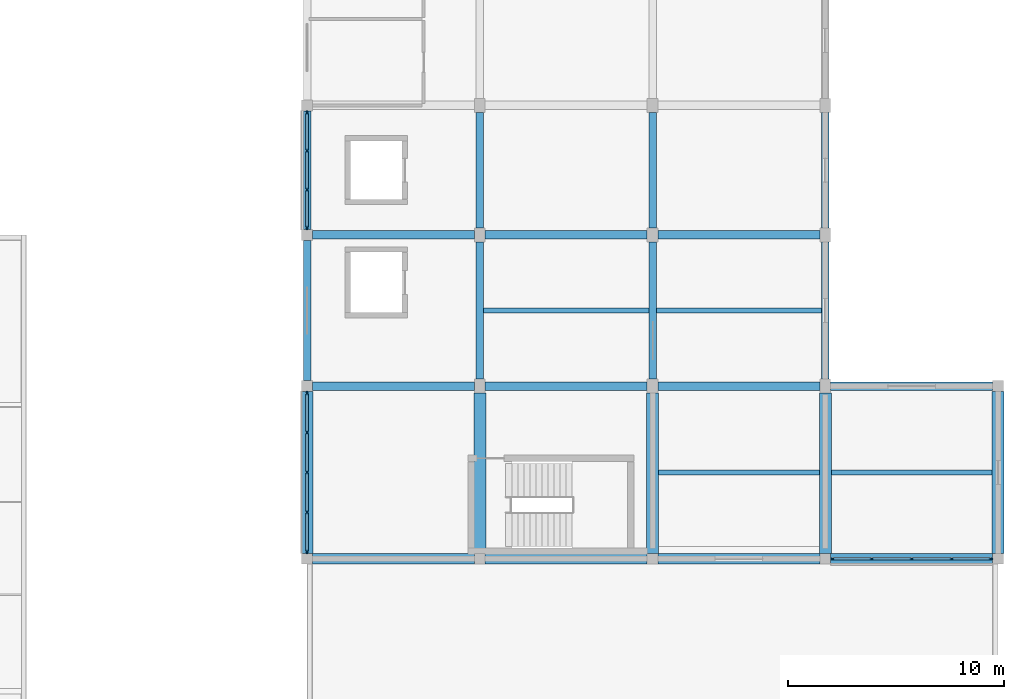
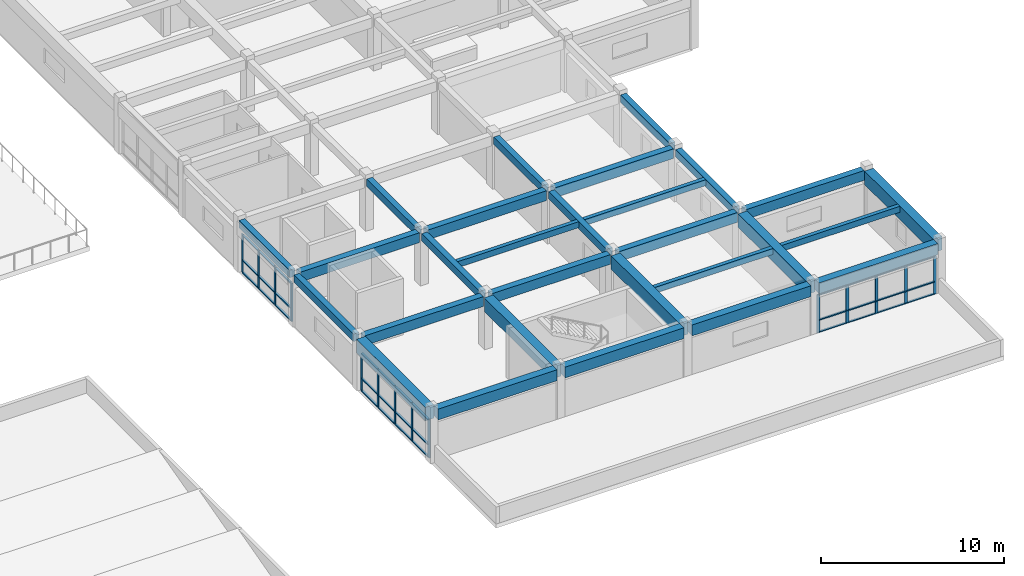
# One storey, part 4 of 22: 47 members, 28 beams, 3 elements without a shape of their own.
"""IFC4 building model written with IfcOpenShell, lengths in metres."""

from ifc_helpers import new_model, si_unit, direction, frame, origin, origin_2d, place, context, subcontext, project, spatial, rectangle, extrude, material, layer, layer_set, material_profile, profile_set, type_object, element, aggregate, save


model = new_model("IFC4")

# Units and contexts
model_context = context("Model", 3, precision=1e-05, world=origin(), true_north=direction((0.0, 1.0)))
body_context = subcontext(model_context, "Body", "Model", "MODEL_VIEW")
ifc_project = project(units=[si_unit("LENGTHUNIT", "METRE"), si_unit("AREAUNIT", "SQUARE_METRE"), si_unit("VOLUMEUNIT", "CUBIC_METRE"), si_unit("PLANEANGLEUNIT", "RADIAN"), si_unit("MASSUNIT", "GRAM", prefix="KILO")], contexts=[model_context])

# Site, building, storey
site_placement = place(None, origin())
site = spatial("IfcSite", under=ifc_project, at=site_placement, CompositionType="ELEMENT")
building_placement = place(site_placement, origin())
building = spatial("IfcBuilding", under=site, at=building_placement, Name="Naurynzar Civic Courthouse", CompositionType="ELEMENT")
storey_placement = place(building_placement, frame((0.0, 0.0, 25.800048828125)))
storey = spatial("IfcBuildingStorey", under=building, at=storey_placement, Name="L07", CompositionType="ELEMENT", Elevation=25.800048828125)

# Beams
ifc_material_1 = material(Name="Concrete C40/50", Category="concrete")
ifc_material_profile_1 = material_profile(ifc_material_1, rectangle(XDim=0.25, YDim=0.39990234375, at=origin_2d()), Name="RCB 250x400")
ifc_profile_set_1 = profile_set([ifc_material_profile_1], Name="Concrete C40/50")
beam_type_1 = type_object("IfcBeamType", Name="BM-JST-250x400", PredefinedType="JOIST", material=ifc_profile_set_1)
for number, where, z_axis, x_axis, name in (
    (1, (146.27490234375, 21.0, 3.27001953125), (1.0, 0.0, 0.0), (0.0, 1.0, 0.0), "V5 secondary rib 2883 L07"),
    (2, (154.27490234375, 21.0, 3.27001953125), (1.0, 0.0, 0.0), (0.0, 1.0, 0.0), "V5 secondary rib 2884 L07"),
):
    element("IfcBeam", number, at=place(storey_placement, frame(where, z_axis=z_axis, x_axis=x_axis)), inside=storey, type_object=beam_type_1, Name=name, PredefinedType="JOIST", context=body_context, shape_type="SweptSolid", body=[
        extrude(rectangle(XDim=0.25, YDim=0.39990234375, at=origin_2d()), origin(), (0.0, 0.0, 1.0), 7.4501953125),
    ])
for number, where, z_axis, x_axis, name in (
    (3, (138.175048828125, 28.5, 3.27001953125), (1.0, 0.0, 0.0), (0.0, 1.0, 0.0), "V5 secondary rib 2885 L07"),
    (4, (146.175048828125, 28.5, 3.27001953125), (1.0, 0.0, 0.0), (0.0, 1.0, 0.0), "V5 secondary rib 2886 L07"),
):
    element("IfcBeam", number, at=place(storey_placement, frame(where, z_axis=z_axis, x_axis=x_axis)), inside=storey, type_object=beam_type_1, Name=name, PredefinedType="JOIST", context=body_context, shape_type="SweptSolid", body=[
        extrude(rectangle(XDim=0.25, YDim=0.39990234375, at=origin_2d()), origin(), (0.0, 0.0, 1.0), 7.64990234375),
    ])
ifc_material_2 = material(Name="Concrete C40/50", Category="concrete")
ifc_material_profile_2 = material_profile(ifc_material_2, rectangle(XDim=0.35009765625, YDim=0.5, at=origin_2d()), Name="RCB 350x500")
ifc_profile_set_2 = profile_set([ifc_material_profile_2], Name="Concrete C40/50")
beam_type_2 = type_object("IfcBeamType", Name="BM-RC-350x500", PredefinedType="BEAM", material=ifc_profile_set_2)
beam_1_placement = place(storey_placement, frame((130.0, 25.25, 3.219970703125), z_axis=(0.0, 1.0, 0.0), x_axis=(-1.0, 0.0, 0.0)))
element("IfcBeam", 5, at=beam_1_placement, inside=storey, type_object=beam_type_2, Name="V5 girder Y-2852 L07", PredefinedType="BEAM", context=body_context, shape_type="SweptSolid", body=[
    extrude(rectangle(XDim=0.35009765625, YDim=0.5, at=origin_2d()), origin(), (0.0, 0.0, 1.0), 6.5),
])
beam_2_placement = place(storey_placement, frame((130.0, 32.25, 3.219970703125), z_axis=(0.0, 1.0, 0.0), x_axis=(-1.0, 0.0, 0.0)))
element("IfcBeam", 6, at=beam_2_placement, inside=storey, type_object=beam_type_2, Name="V5 girder Y-2853 L07", PredefinedType="BEAM", context=body_context, shape_type="SweptSolid", body=[
    extrude(rectangle(XDim=0.35009765625, YDim=0.5, at=origin_2d()), origin(), (0.0, 0.0, 1.0), 5.5),
])
beam_3_placement = place(storey_placement, frame((138.0, 25.324951171875, 3.219970703125), z_axis=(0.0, 1.0, 0.0), x_axis=(-1.0, 0.0, 0.0)))
element("IfcBeam", 7, at=beam_3_placement, inside=storey, type_object=beam_type_2, Name="V5 girder Y-2859 L07", PredefinedType="BEAM", context=body_context, shape_type="SweptSolid", body=[
    extrude(rectangle(XDim=0.35009765625, YDim=0.5, at=origin_2d()), origin(), (0.0, 0.0, 1.0), 6.35009765625),
])
beam_4_placement = place(storey_placement, frame((138.0, 32.324951171875, 3.219970703125), z_axis=(0.0, 1.0, 0.0), x_axis=(-1.0, 0.0, 0.0)))
element("IfcBeam", 8, at=beam_4_placement, inside=storey, type_object=beam_type_2, Name="V5 girder Y-2860 L07", PredefinedType="BEAM", context=body_context, shape_type="SweptSolid", body=[
    extrude(rectangle(XDim=0.35009765625, YDim=0.5, at=origin_2d()), origin(), (0.0, 0.0, 1.0), 5.35009765625),
])
beam_5_placement = place(storey_placement, frame((146.0, 25.324951171875, 3.219970703125), z_axis=(0.0, 1.0, 0.0), x_axis=(-1.0, 0.0, 0.0)))
element("IfcBeam", 9, at=beam_5_placement, inside=storey, type_object=beam_type_2, Name="V5 girder Y-2866 L07", PredefinedType="BEAM", context=body_context, shape_type="SweptSolid", body=[
    extrude(rectangle(XDim=0.35009765625, YDim=0.5, at=origin_2d()), origin(), (0.0, 0.0, 1.0), 6.35009765625),
])
beam_6_placement = place(storey_placement, frame((146.0, 32.324951171875, 3.219970703125), z_axis=(0.0, 1.0, 0.0), x_axis=(-1.0, 0.0, 0.0)))
element("IfcBeam", 10, at=beam_6_placement, inside=storey, type_object=beam_type_2, Name="V5 girder Y-2867 L07", PredefinedType="BEAM", context=body_context, shape_type="SweptSolid", body=[
    extrude(rectangle(XDim=0.35009765625, YDim=0.5, at=origin_2d()), origin(), (0.0, 0.0, 1.0), 5.35009765625),
])
beam_7_placement = place(storey_placement, frame((154.0, 25.324951171875, 3.219970703125), z_axis=(0.0, 1.0, 0.0), x_axis=(-1.0, 0.0, 0.0)))
element("IfcBeam", 11, at=beam_7_placement, inside=storey, type_object=beam_type_2, Name="V5 girder Y-2873 L07", PredefinedType="BEAM", context=body_context, shape_type="SweptSolid", body=[
    extrude(rectangle(XDim=0.35009765625, YDim=0.5, at=origin_2d()), origin(), (0.0, 0.0, 1.0), 6.35009765625),
])
beam_8_placement = place(storey_placement, frame((154.0, 32.324951171875, 3.219970703125), z_axis=(0.0, 1.0, 0.0), x_axis=(-1.0, 0.0, 0.0)))
element("IfcBeam", 12, at=beam_8_placement, inside=storey, type_object=beam_type_2, Name="V5 girder Y-2874 L07", PredefinedType="BEAM", context=body_context, shape_type="SweptSolid", body=[
    extrude(rectangle(XDim=0.35009765625, YDim=0.5, at=origin_2d()), origin(), (0.0, 0.0, 1.0), 5.35009765625),
])
ifc_material_3 = material(Name="Concrete C40/50", Category="concrete")
ifc_material_profile_3 = material_profile(ifc_material_3, rectangle(XDim=0.39990234375, YDim=0.64990234375, at=origin_2d()), Name="RCB 400x650")
ifc_profile_set_3 = profile_set([ifc_material_profile_3], Name="Concrete C40/50")
beam_type_3 = type_object("IfcBeamType", Name="BM-RC-400x650", PredefinedType="BEAM", material=ifc_profile_set_3)
for number, where, z_axis, x_axis, name in (
    (13, (130.25, 25.0, 3.14501953125), (1.0, 0.0, 0.0), (0.0, 1.0, 0.0), "V5 beam X-2825 L07"),
    (14, (138.25, 25.0, 3.14501953125), (1.0, 0.0, 0.0), (0.0, 1.0, 0.0), "V5 beam X-2826 L07"),
    (15, (146.25, 25.0, 3.14501953125), (1.0, 0.0, 0.0), (0.0, 1.0, 0.0), "V5 beam X-2827 L07"),
    (16, (154.25, 25.0, 3.14501953125), (1.0, 0.0, 0.0), (0.0, 1.0, 0.0), "V5 beam X-2828 L07"),
    (17, (130.25, 32.0, 3.14501953125), (1.0, 0.0, 0.0), (0.0, 1.0, 0.0), "V5 beam X-2829 L07"),
    (18, (138.25, 32.0, 3.14501953125), (1.0, 0.0, 0.0), (0.0, 1.0, 0.0), "V5 beam X-2830 L07"),
    (19, (146.25, 32.0, 3.14501953125), (1.0, 0.0, 0.0), (0.0, 1.0, 0.0), "V5 beam X-2831 L07"),
):
    element("IfcBeam", number, at=place(storey_placement, frame(where, z_axis=z_axis, x_axis=x_axis)), inside=storey, type_object=beam_type_3, Name=name, PredefinedType="BEAM", context=body_context, shape_type="SweptSolid", body=[
        extrude(rectangle(XDim=0.39990234375, YDim=0.64990234375, at=origin_2d()), origin(), (0.0, 0.0, 1.0), 7.5),
    ])
ifc_material_4 = material(Name="Concrete C40/50", Category="concrete")
ifc_material_profile_4 = material_profile(ifc_material_4, rectangle(XDim=0.47509765625, YDim=0.72509765625, at=origin_2d()), Name="RCB 475x725")
ifc_profile_set_4 = profile_set([ifc_material_profile_4], Name="Concrete C40/50")
beam_type_4 = type_object("IfcBeamType", Name="BM-RC-475x725", PredefinedType="SPANDREL", material=ifc_profile_set_4)
for number, where, z_axis, x_axis, name in (
    (20, (130.25, 17.0, 3.107421875), (1.0, 0.0, 0.0), (0.0, 1.0, 0.0), "V5 beam X-2821 L07"),
    (21, (138.25, 17.0, 3.107421875), (1.0, 0.0, 0.0), (0.0, 1.0, 0.0), "V5 beam X-2822 L07"),
    (22, (146.25, 17.0, 3.107421875), (1.0, 0.0, 0.0), (0.0, 1.0, 0.0), "V5 beam X-2823 L07"),
    (23, (154.25, 17.0, 3.107421875), (1.0, 0.0, 0.0), (0.0, 1.0, 0.0), "V5 beam X-2824 L07"),
):
    element("IfcBeam", number, at=place(storey_placement, frame(where, z_axis=z_axis, x_axis=x_axis)), inside=storey, type_object=beam_type_4, Name=name, PredefinedType="SPANDREL", context=body_context, shape_type="SweptSolid", body=[
        extrude(rectangle(XDim=0.47509765625, YDim=0.72509765625, at=origin_2d()), origin(), (0.0, 0.0, 1.0), 7.5),
    ])
ifc_material_5 = material(Name="Concrete C40/50", Category="concrete")
ifc_material_profile_5 = material_profile(ifc_material_5, rectangle(XDim=0.550048828125, YDim=0.89990234375, at=origin_2d()), Name="RCB 550x900")
ifc_profile_set_5 = profile_set([ifc_material_profile_5], Name="Concrete C40/50")
beam_type_5 = type_object("IfcBeamType", Name="BM-RC-550x900", PredefinedType="T_BEAM", material=ifc_profile_set_5)
beam_9_placement = place(storey_placement, frame((130.0, 17.25, 3.02001953125), z_axis=(0.0, 1.0, 0.0), x_axis=(-1.0, 0.0, 0.0)))
element("IfcBeam", 24, at=beam_9_placement, inside=storey, type_object=beam_type_5, Name="V5 girder Y-2851 L07", PredefinedType="T_BEAM", context=body_context, shape_type="SweptSolid", body=[
    extrude(rectangle(XDim=0.550048828125, YDim=0.89990234375, at=origin_2d()), origin(), (0.0, 0.0, 1.0), 7.5),
])
for number, where, z_axis, x_axis, name in (
    (25, (138.0, 17.25, 3.02001953125), (0.0, 1.0, 0.0), (-1.0, 0.0, 0.0), "V5 girder Y-2858 L07"),
    (26, (146.0, 17.25, 3.02001953125), (0.0, 1.0, 0.0), (-1.0, 0.0, 0.0), "V5 girder Y-2865 L07"),
    (27, (154.0, 17.25, 3.02001953125), (0.0, 1.0, 0.0), (-1.0, 0.0, 0.0), "V5 girder Y-2872 L07"),
):
    element("IfcBeam", number, at=place(storey_placement, frame(where, z_axis=z_axis, x_axis=x_axis)), inside=storey, type_object=beam_type_5, Name=name, PredefinedType="T_BEAM", context=body_context, shape_type="SweptSolid", body=[
        extrude(rectangle(XDim=0.550048828125, YDim=0.89990234375, at=origin_2d()), origin(), (0.0, 0.0, 1.0), 7.425048828125),
    ])
beam_10_placement = place(storey_placement, frame((162.0, 17.25, 3.02001953125), z_axis=(0.0, 1.0, 0.0), x_axis=(-1.0, 0.0, 0.0)))
element("IfcBeam", 28, at=beam_10_placement, inside=storey, type_object=beam_type_5, Name="V5 girder Y-2879 L07", PredefinedType="T_BEAM", context=body_context, shape_type="SweptSolid", body=[
    extrude(rectangle(XDim=0.550048828125, YDim=0.89990234375, at=origin_2d()), origin(), (0.0, 0.0, 1.0), 7.5),
])

# Curtain wall, members
ifc_material_6 = material(Name="Aluminium 6063-T6", Category="aluminium")
ifc_layer = layer(ifc_material_6, 0.159912109375)
ifc_layer_set = layer_set([ifc_layer], Name="CW-UNIT-1800")
curtain_wall_type = type_object("IfcCurtainWallType", Name="CW-UNIT-1800", PredefinedType="NOTDEFINED", material=ifc_layer_set)
curtain_wall_1_placement = place(storey_placement, origin())
curtain_wall_1 = element("IfcCurtainWall", 29, at=curtain_wall_1_placement, inside=storey, type_object=curtain_wall_type, Name="V5 unitised curtain wall 112 L07", PredefinedType="NOTDEFINED")
ifc_material_7 = material(Name="Aluminium 6063-T6", Category="aluminium")
ifc_material_profile_6 = material_profile(ifc_material_7, rectangle(XDim=0.070068359375, YDim=0.179931640625, at=origin_2d()), Name="ALU MULLION 70x180")
ifc_profile_set_6 = profile_set([ifc_material_profile_6], Name="Aluminium 6063-T6")
member_type_1 = type_object("IfcMemberType", Name="CWM-70x180", PredefinedType="MULLION", material=ifc_profile_set_6)
member_1_placement = place(storey_placement, frame((130.0, 17.3349609375, 0.0), z_axis=(0.0, 0.0, 1.0), x_axis=(-1.0, 0.0, 0.0)))
member_1 = element("IfcMember", 30, at=member_1_placement, type_object=member_type_1, Name="CW-02 mullion 1", PredefinedType="MULLION", context=body_context, shape_type="SweptSolid", body=[
    extrude(rectangle(XDim=0.070068359375, YDim=0.179931640625, at=origin_2d()), origin(), (0.0, 0.0, 1.0), 2.550048828125),
])
member_2_placement = place(storey_placement, frame((130.0, 19.14990234375, 0.0), z_axis=(0.0, 0.0, 1.0), x_axis=(-1.0, 0.0, 0.0)))
member_2 = element("IfcMember", 31, at=member_2_placement, type_object=member_type_1, Name="CW-02 mullion 2", PredefinedType="MULLION", context=body_context, shape_type="SweptSolid", body=[
    extrude(rectangle(XDim=0.070068359375, YDim=0.179931640625, at=origin_2d()), origin(), (0.0, 0.0, 1.0), 2.550048828125),
])
member_3_placement = place(storey_placement, frame((130.0, 21.0, 0.0), z_axis=(0.0, 0.0, 1.0), x_axis=(-1.0, 0.0, 0.0)))
member_3 = element("IfcMember", 32, at=member_3_placement, type_object=member_type_1, Name="CW-02 mullion 3", PredefinedType="MULLION", context=body_context, shape_type="SweptSolid", body=[
    extrude(rectangle(XDim=0.070068359375, YDim=0.179931640625, at=origin_2d()), origin(), (0.0, 0.0, 1.0), 2.550048828125),
])
member_4_placement = place(storey_placement, frame((130.0, 22.85009765625, 0.0), z_axis=(0.0, 0.0, 1.0), x_axis=(-1.0, 0.0, 0.0)))
member_4 = element("IfcMember", 33, at=member_4_placement, type_object=member_type_1, Name="CW-02 mullion 4", PredefinedType="MULLION", context=body_context, shape_type="SweptSolid", body=[
    extrude(rectangle(XDim=0.070068359375, YDim=0.179931640625, at=origin_2d()), origin(), (0.0, 0.0, 1.0), 2.550048828125),
])
member_5_placement = place(storey_placement, frame((130.0, 24.6650390625, 0.0), z_axis=(0.0, 0.0, 1.0), x_axis=(-1.0, 0.0, 0.0)))
member_5 = element("IfcMember", 34, at=member_5_placement, type_object=member_type_1, Name="CW-02 mullion 5", PredefinedType="MULLION", context=body_context, shape_type="SweptSolid", body=[
    extrude(rectangle(XDim=0.070068359375, YDim=0.179931640625, at=origin_2d()), origin(), (0.0, 0.0, 1.0), 2.550048828125),
])

curtain_wall_2_placement = place(storey_placement, origin())
curtain_wall_2 = element("IfcCurtainWall", 35, at=curtain_wall_2_placement, inside=storey, type_object=curtain_wall_type, Name="V5 unitised curtain wall 113 L07", PredefinedType="NOTDEFINED")
member_6_placement = place(storey_placement, frame((130.0, 32.3349609375, 0.0), z_axis=(0.0, 0.0, 1.0), x_axis=(-1.0, 0.0, 0.0)))
member_6 = element("IfcMember", 36, at=member_6_placement, type_object=member_type_1, Name="CW-02 mullion 1", PredefinedType="MULLION", context=body_context, shape_type="SweptSolid", body=[
    extrude(rectangle(XDim=0.070068359375, YDim=0.179931640625, at=origin_2d()), origin(), (0.0, 0.0, 1.0), 2.550048828125),
])
member_7_placement = place(storey_placement, frame((130.0, 34.10009765625, 0.0), z_axis=(0.0, 0.0, 1.0), x_axis=(-1.0, 0.0, 0.0)))
member_7 = element("IfcMember", 37, at=member_7_placement, type_object=member_type_1, Name="CW-02 mullion 2", PredefinedType="MULLION", context=body_context, shape_type="SweptSolid", body=[
    extrude(rectangle(XDim=0.070068359375, YDim=0.179931640625, at=origin_2d()), origin(), (0.0, 0.0, 1.0), 2.550048828125),
])
member_8_placement = place(storey_placement, frame((130.0, 35.89990234375, 0.0), z_axis=(0.0, 0.0, 1.0), x_axis=(-1.0, 0.0, 0.0)))
member_8 = element("IfcMember", 38, at=member_8_placement, type_object=member_type_1, Name="CW-02 mullion 3", PredefinedType="MULLION", context=body_context, shape_type="SweptSolid", body=[
    extrude(rectangle(XDim=0.070068359375, YDim=0.179931640625, at=origin_2d()), origin(), (0.0, 0.0, 1.0), 2.550048828125),
])
member_9_placement = place(storey_placement, frame((130.0, 37.6650390625, 0.0), z_axis=(0.0, 0.0, 1.0), x_axis=(-1.0, 0.0, 0.0)))
member_9 = element("IfcMember", 39, at=member_9_placement, type_object=member_type_1, Name="CW-02 mullion 4", PredefinedType="MULLION", context=body_context, shape_type="SweptSolid", body=[
    extrude(rectangle(XDim=0.070068359375, YDim=0.179931640625, at=origin_2d()), origin(), (0.0, 0.0, 1.0), 2.550048828125),
])

curtain_wall_3_placement = place(storey_placement, origin())
curtain_wall_3 = element("IfcCurtainWall", 40, at=curtain_wall_3_placement, inside=storey, type_object=curtain_wall_type, Name="V5 unitised curtain wall 116 L07", PredefinedType="NOTDEFINED")
member_10_placement = place(storey_placement, frame((161.6650390625, 17.0, 0.0), z_axis=(0.0, 0.0, 1.0), x_axis=(0.0, -1.0, 0.0)))
member_10 = element("IfcMember", 41, at=member_10_placement, type_object=member_type_1, Name="CW-02 mullion 1", PredefinedType="MULLION", context=body_context, shape_type="SweptSolid", body=[
    extrude(rectangle(XDim=0.070068359375, YDim=0.179931640625, at=origin_2d()), origin(), (0.0, 0.0, 1.0), 2.550048828125),
])
member_11_placement = place(storey_placement, frame((159.85009765625, 17.0, 0.0), z_axis=(0.0, 0.0, 1.0), x_axis=(0.0, -1.0, 0.0)))
member_11 = element("IfcMember", 42, at=member_11_placement, type_object=member_type_1, Name="CW-02 mullion 2", PredefinedType="MULLION", context=body_context, shape_type="SweptSolid", body=[
    extrude(rectangle(XDim=0.070068359375, YDim=0.179931640625, at=origin_2d()), origin(), (0.0, 0.0, 1.0), 2.550048828125),
])
member_12_placement = place(storey_placement, frame((158.0, 17.0, 0.0), z_axis=(0.0, 0.0, 1.0), x_axis=(0.0, -1.0, 0.0)))
member_12 = element("IfcMember", 43, at=member_12_placement, type_object=member_type_1, Name="CW-02 mullion 3", PredefinedType="MULLION", context=body_context, shape_type="SweptSolid", body=[
    extrude(rectangle(XDim=0.070068359375, YDim=0.179931640625, at=origin_2d()), origin(), (0.0, 0.0, 1.0), 2.550048828125),
])
member_13_placement = place(storey_placement, frame((156.14990234375, 17.0, 0.0), z_axis=(0.0, 0.0, 1.0), x_axis=(0.0, -1.0, 0.0)))
member_13 = element("IfcMember", 44, at=member_13_placement, type_object=member_type_1, Name="CW-02 mullion 4", PredefinedType="MULLION", context=body_context, shape_type="SweptSolid", body=[
    extrude(rectangle(XDim=0.070068359375, YDim=0.179931640625, at=origin_2d()), origin(), (0.0, 0.0, 1.0), 2.550048828125),
])
member_14_placement = place(storey_placement, frame((154.3349609375, 17.0, 0.0), z_axis=(0.0, 0.0, 1.0), x_axis=(0.0, -1.0, 0.0)))
member_14 = element("IfcMember", 45, at=member_14_placement, type_object=member_type_1, Name="CW-02 mullion 5", PredefinedType="MULLION", context=body_context, shape_type="SweptSolid", body=[
    extrude(rectangle(XDim=0.070068359375, YDim=0.179931640625, at=origin_2d()), origin(), (0.0, 0.0, 1.0), 2.550048828125),
])

# Member
ifc_material_8 = material(Name="Aluminium 6063-T6", Category="aluminium")
ifc_material_profile_7 = material_profile(ifc_material_8, rectangle(XDim=0.1298828125, YDim=0.070068359375, at=origin_2d()), Name="ALU TRANSOM 70x130")
ifc_profile_set_7 = profile_set([ifc_material_profile_7], Name="Aluminium 6063-T6")
member_type_2 = type_object("IfcMemberType", Name="CWT-70x130", PredefinedType="USERDEFINED", material=ifc_profile_set_7)
member_15_placement = place(storey_placement, frame((130.0, 17.3701171875, 0.034912109375), z_axis=(0.0, 1.0, 0.0), x_axis=(-1.0, 0.0, 0.0)))
member_15 = element("IfcMember", 46, at=member_15_placement, type_object=member_type_2, Name="CW-02 transom 1.1", ObjectType="TRANSOM", PredefinedType="USERDEFINED", context=body_context, shape_type="SweptSolid", body=[
    extrude(rectangle(XDim=0.1298828125, YDim=0.070068359375, at=origin_2d()), origin(), (0.0, 0.0, 1.0), 1.744873046875),
])

member_16_placement = place(storey_placement, frame((130.0, 17.3701171875, 0.849853515625), z_axis=(0.0, 1.0, 0.0), x_axis=(-1.0, 0.0, 0.0)))
member_16 = element("IfcMember", 47, at=member_16_placement, type_object=member_type_2, Name="CW-02 transom 1.2", ObjectType="TRANSOM", PredefinedType="USERDEFINED", context=body_context, shape_type="SweptSolid", body=[
    extrude(rectangle(XDim=0.1298828125, YDim=0.070068359375, at=origin_2d()), origin(), (0.0, 0.0, 1.0), 1.744873046875),
])

member_17_placement = place(storey_placement, frame((130.0, 17.3701171875, 2.514892578125), z_axis=(0.0, 1.0, 0.0), x_axis=(-1.0, 0.0, 0.0)))
member_17 = element("IfcMember", 48, at=member_17_placement, type_object=member_type_2, Name="CW-02 transom 1.3", ObjectType="TRANSOM", PredefinedType="USERDEFINED", context=body_context, shape_type="SweptSolid", body=[
    extrude(rectangle(XDim=0.1298828125, YDim=0.070068359375, at=origin_2d()), origin(), (0.0, 0.0, 1.0), 1.744873046875),
])

member_18_placement = place(storey_placement, frame((130.0, 19.18505859375, 0.034912109375), z_axis=(0.0, 1.0, 0.0), x_axis=(-1.0, 0.0, 0.0)))
member_18 = element("IfcMember", 49, at=member_18_placement, type_object=member_type_2, Name="CW-02 transom 2.1", ObjectType="TRANSOM", PredefinedType="USERDEFINED", context=body_context, shape_type="SweptSolid", body=[
    extrude(rectangle(XDim=0.1298828125, YDim=0.070068359375, at=origin_2d()), origin(), (0.0, 0.0, 1.0), 1.780029296875),
])

member_19_placement = place(storey_placement, frame((130.0, 19.18505859375, 0.849853515625), z_axis=(0.0, 1.0, 0.0), x_axis=(-1.0, 0.0, 0.0)))
member_19 = element("IfcMember", 50, at=member_19_placement, type_object=member_type_2, Name="CW-02 transom 2.2", ObjectType="TRANSOM", PredefinedType="USERDEFINED", context=body_context, shape_type="SweptSolid", body=[
    extrude(rectangle(XDim=0.1298828125, YDim=0.070068359375, at=origin_2d()), origin(), (0.0, 0.0, 1.0), 1.780029296875),
])

member_20_placement = place(storey_placement, frame((130.0, 19.18505859375, 2.514892578125), z_axis=(0.0, 1.0, 0.0), x_axis=(-1.0, 0.0, 0.0)))
member_20 = element("IfcMember", 51, at=member_20_placement, type_object=member_type_2, Name="CW-02 transom 2.3", ObjectType="TRANSOM", PredefinedType="USERDEFINED", context=body_context, shape_type="SweptSolid", body=[
    extrude(rectangle(XDim=0.1298828125, YDim=0.070068359375, at=origin_2d()), origin(), (0.0, 0.0, 1.0), 1.780029296875),
])

member_21_placement = place(storey_placement, frame((130.0, 21.034912109375, 0.034912109375), z_axis=(0.0, 1.0, 0.0), x_axis=(-1.0, 0.0, 0.0)))
member_21 = element("IfcMember", 52, at=member_21_placement, type_object=member_type_2, Name="CW-02 transom 3.1", ObjectType="TRANSOM", PredefinedType="USERDEFINED", context=body_context, shape_type="SweptSolid", body=[
    extrude(rectangle(XDim=0.1298828125, YDim=0.070068359375, at=origin_2d()), origin(), (0.0, 0.0, 1.0), 1.780029296875),
])

member_22_placement = place(storey_placement, frame((130.0, 21.034912109375, 0.849853515625), z_axis=(0.0, 1.0, 0.0), x_axis=(-1.0, 0.0, 0.0)))
member_22 = element("IfcMember", 53, at=member_22_placement, type_object=member_type_2, Name="CW-02 transom 3.2", ObjectType="TRANSOM", PredefinedType="USERDEFINED", context=body_context, shape_type="SweptSolid", body=[
    extrude(rectangle(XDim=0.1298828125, YDim=0.070068359375, at=origin_2d()), origin(), (0.0, 0.0, 1.0), 1.780029296875),
])

member_23_placement = place(storey_placement, frame((130.0, 21.034912109375, 2.514892578125), z_axis=(0.0, 1.0, 0.0), x_axis=(-1.0, 0.0, 0.0)))
member_23 = element("IfcMember", 54, at=member_23_placement, type_object=member_type_2, Name="CW-02 transom 3.3", ObjectType="TRANSOM", PredefinedType="USERDEFINED", context=body_context, shape_type="SweptSolid", body=[
    extrude(rectangle(XDim=0.1298828125, YDim=0.070068359375, at=origin_2d()), origin(), (0.0, 0.0, 1.0), 1.780029296875),
])

member_24_placement = place(storey_placement, frame((130.0, 22.885009765625, 0.034912109375), z_axis=(0.0, 1.0, 0.0), x_axis=(-1.0, 0.0, 0.0)))
member_24 = element("IfcMember", 55, at=member_24_placement, type_object=member_type_2, Name="CW-02 transom 4.1", ObjectType="TRANSOM", PredefinedType="USERDEFINED", context=body_context, shape_type="SweptSolid", body=[
    extrude(rectangle(XDim=0.1298828125, YDim=0.070068359375, at=origin_2d()), origin(), (0.0, 0.0, 1.0), 1.744873046875),
])

member_25_placement = place(storey_placement, frame((130.0, 22.885009765625, 0.849853515625), z_axis=(0.0, 1.0, 0.0), x_axis=(-1.0, 0.0, 0.0)))
member_25 = element("IfcMember", 56, at=member_25_placement, type_object=member_type_2, Name="CW-02 transom 4.2", ObjectType="TRANSOM", PredefinedType="USERDEFINED", context=body_context, shape_type="SweptSolid", body=[
    extrude(rectangle(XDim=0.1298828125, YDim=0.070068359375, at=origin_2d()), origin(), (0.0, 0.0, 1.0), 1.744873046875),
])

member_26_placement = place(storey_placement, frame((130.0, 22.885009765625, 2.514892578125), z_axis=(0.0, 1.0, 0.0), x_axis=(-1.0, 0.0, 0.0)))
member_26 = element("IfcMember", 57, at=member_26_placement, type_object=member_type_2, Name="CW-02 transom 4.3", ObjectType="TRANSOM", PredefinedType="USERDEFINED", context=body_context, shape_type="SweptSolid", body=[
    extrude(rectangle(XDim=0.1298828125, YDim=0.070068359375, at=origin_2d()), origin(), (0.0, 0.0, 1.0), 1.744873046875),
])

aggregate(curtain_wall_1, [member_1, member_2, member_3, member_4, member_5, member_15, member_16, member_17, member_18, member_19, member_20, member_21, member_22, member_23, member_24, member_25, member_26])

member_27_placement = place(storey_placement, frame((130.0, 32.3701171875, 0.034912109375), z_axis=(0.0, 1.0, 0.0), x_axis=(-1.0, 0.0, 0.0)))
member_27 = element("IfcMember", 58, at=member_27_placement, type_object=member_type_2, Name="CW-02 transom 1.1", ObjectType="TRANSOM", PredefinedType="USERDEFINED", context=body_context, shape_type="SweptSolid", body=[
    extrude(rectangle(XDim=0.1298828125, YDim=0.070068359375, at=origin_2d()), origin(), (0.0, 0.0, 1.0), 1.69482421875),
])

member_28_placement = place(storey_placement, frame((130.0, 32.3701171875, 0.849853515625), z_axis=(0.0, 1.0, 0.0), x_axis=(-1.0, 0.0, 0.0)))
member_28 = element("IfcMember", 59, at=member_28_placement, type_object=member_type_2, Name="CW-02 transom 1.2", ObjectType="TRANSOM", PredefinedType="USERDEFINED", context=body_context, shape_type="SweptSolid", body=[
    extrude(rectangle(XDim=0.1298828125, YDim=0.070068359375, at=origin_2d()), origin(), (0.0, 0.0, 1.0), 1.69482421875),
])

member_29_placement = place(storey_placement, frame((130.0, 32.3701171875, 2.514892578125), z_axis=(0.0, 1.0, 0.0), x_axis=(-1.0, 0.0, 0.0)))
member_29 = element("IfcMember", 60, at=member_29_placement, type_object=member_type_2, Name="CW-02 transom 1.3", ObjectType="TRANSOM", PredefinedType="USERDEFINED", context=body_context, shape_type="SweptSolid", body=[
    extrude(rectangle(XDim=0.1298828125, YDim=0.070068359375, at=origin_2d()), origin(), (0.0, 0.0, 1.0), 1.69482421875),
])

member_30_placement = place(storey_placement, frame((130.0, 34.135009765625, 0.034912109375), z_axis=(0.0, 1.0, 0.0), x_axis=(-1.0, 0.0, 0.0)))
member_30 = element("IfcMember", 61, at=member_30_placement, type_object=member_type_2, Name="CW-02 transom 2.1", ObjectType="TRANSOM", PredefinedType="USERDEFINED", context=body_context, shape_type="SweptSolid", body=[
    extrude(rectangle(XDim=0.1298828125, YDim=0.070068359375, at=origin_2d()), origin(), (0.0, 0.0, 1.0), 1.72998046875),
])

member_31_placement = place(storey_placement, frame((130.0, 34.135009765625, 0.849853515625), z_axis=(0.0, 1.0, 0.0), x_axis=(-1.0, 0.0, 0.0)))
member_31 = element("IfcMember", 62, at=member_31_placement, type_object=member_type_2, Name="CW-02 transom 2.2", ObjectType="TRANSOM", PredefinedType="USERDEFINED", context=body_context, shape_type="SweptSolid", body=[
    extrude(rectangle(XDim=0.1298828125, YDim=0.070068359375, at=origin_2d()), origin(), (0.0, 0.0, 1.0), 1.72998046875),
])

member_32_placement = place(storey_placement, frame((130.0, 34.135009765625, 2.514892578125), z_axis=(0.0, 1.0, 0.0), x_axis=(-1.0, 0.0, 0.0)))
member_32 = element("IfcMember", 63, at=member_32_placement, type_object=member_type_2, Name="CW-02 transom 2.3", ObjectType="TRANSOM", PredefinedType="USERDEFINED", context=body_context, shape_type="SweptSolid", body=[
    extrude(rectangle(XDim=0.1298828125, YDim=0.070068359375, at=origin_2d()), origin(), (0.0, 0.0, 1.0), 1.72998046875),
])

member_33_placement = place(storey_placement, frame((130.0, 35.93505859375, 0.034912109375), z_axis=(0.0, 1.0, 0.0), x_axis=(-1.0, 0.0, 0.0)))
member_33 = element("IfcMember", 64, at=member_33_placement, type_object=member_type_2, Name="CW-02 transom 3.1", ObjectType="TRANSOM", PredefinedType="USERDEFINED", context=body_context, shape_type="SweptSolid", body=[
    extrude(rectangle(XDim=0.1298828125, YDim=0.070068359375, at=origin_2d()), origin(), (0.0, 0.0, 1.0), 1.69482421875),
])

member_34_placement = place(storey_placement, frame((130.0, 35.93505859375, 0.849853515625), z_axis=(0.0, 1.0, 0.0), x_axis=(-1.0, 0.0, 0.0)))
member_34 = element("IfcMember", 65, at=member_34_placement, type_object=member_type_2, Name="CW-02 transom 3.2", ObjectType="TRANSOM", PredefinedType="USERDEFINED", context=body_context, shape_type="SweptSolid", body=[
    extrude(rectangle(XDim=0.1298828125, YDim=0.070068359375, at=origin_2d()), origin(), (0.0, 0.0, 1.0), 1.69482421875),
])

member_35_placement = place(storey_placement, frame((130.0, 35.93505859375, 2.514892578125), z_axis=(0.0, 1.0, 0.0), x_axis=(-1.0, 0.0, 0.0)))
member_35 = element("IfcMember", 66, at=member_35_placement, type_object=member_type_2, Name="CW-02 transom 3.3", ObjectType="TRANSOM", PredefinedType="USERDEFINED", context=body_context, shape_type="SweptSolid", body=[
    extrude(rectangle(XDim=0.1298828125, YDim=0.070068359375, at=origin_2d()), origin(), (0.0, 0.0, 1.0), 1.69482421875),
])

aggregate(curtain_wall_2, [member_6, member_7, member_8, member_9, member_27, member_28, member_29, member_30, member_31, member_32, member_33, member_34, member_35])

member_36_placement = place(storey_placement, frame((161.6298828125, 17.0, 0.034912109375), z_axis=(-1.0, 0.0, 0.0), x_axis=(0.0, -1.0, 0.0)))
member_36 = element("IfcMember", 67, at=member_36_placement, type_object=member_type_2, Name="CW-02 transom 1.1", ObjectType="TRANSOM", PredefinedType="USERDEFINED", context=body_context, shape_type="SweptSolid", body=[
    extrude(rectangle(XDim=0.1298828125, YDim=0.070068359375, at=origin_2d()), origin(), (0.0, 0.0, 1.0), 1.744873046875),
])

member_37_placement = place(storey_placement, frame((161.6298828125, 17.0, 0.849853515625), z_axis=(-1.0, 0.0, 0.0), x_axis=(0.0, -1.0, 0.0)))
member_37 = element("IfcMember", 68, at=member_37_placement, type_object=member_type_2, Name="CW-02 transom 1.2", ObjectType="TRANSOM", PredefinedType="USERDEFINED", context=body_context, shape_type="SweptSolid", body=[
    extrude(rectangle(XDim=0.1298828125, YDim=0.070068359375, at=origin_2d()), origin(), (0.0, 0.0, 1.0), 1.744873046875),
])

member_38_placement = place(storey_placement, frame((161.6298828125, 17.0, 2.514892578125), z_axis=(-1.0, 0.0, 0.0), x_axis=(0.0, -1.0, 0.0)))
member_38 = element("IfcMember", 69, at=member_38_placement, type_object=member_type_2, Name="CW-02 transom 1.3", ObjectType="TRANSOM", PredefinedType="USERDEFINED", context=body_context, shape_type="SweptSolid", body=[
    extrude(rectangle(XDim=0.1298828125, YDim=0.070068359375, at=origin_2d()), origin(), (0.0, 0.0, 1.0), 1.744873046875),
])

member_39_placement = place(storey_placement, frame((159.81494140625, 17.0, 0.034912109375), z_axis=(-1.0, 0.0, 0.0), x_axis=(0.0, -1.0, 0.0)))
member_39 = element("IfcMember", 70, at=member_39_placement, type_object=member_type_2, Name="CW-02 transom 2.1", ObjectType="TRANSOM", PredefinedType="USERDEFINED", context=body_context, shape_type="SweptSolid", body=[
    extrude(rectangle(XDim=0.1298828125, YDim=0.070068359375, at=origin_2d()), origin(), (0.0, 0.0, 1.0), 1.780029296875),
])

member_40_placement = place(storey_placement, frame((159.81494140625, 17.0, 0.849853515625), z_axis=(-1.0, 0.0, 0.0), x_axis=(0.0, -1.0, 0.0)))
member_40 = element("IfcMember", 71, at=member_40_placement, type_object=member_type_2, Name="CW-02 transom 2.2", ObjectType="TRANSOM", PredefinedType="USERDEFINED", context=body_context, shape_type="SweptSolid", body=[
    extrude(rectangle(XDim=0.1298828125, YDim=0.070068359375, at=origin_2d()), origin(), (0.0, 0.0, 1.0), 1.780029296875),
])

member_41_placement = place(storey_placement, frame((159.81494140625, 17.0, 2.514892578125), z_axis=(-1.0, 0.0, 0.0), x_axis=(0.0, -1.0, 0.0)))
member_41 = element("IfcMember", 72, at=member_41_placement, type_object=member_type_2, Name="CW-02 transom 2.3", ObjectType="TRANSOM", PredefinedType="USERDEFINED", context=body_context, shape_type="SweptSolid", body=[
    extrude(rectangle(XDim=0.1298828125, YDim=0.070068359375, at=origin_2d()), origin(), (0.0, 0.0, 1.0), 1.780029296875),
])

member_42_placement = place(storey_placement, frame((157.965087890625, 17.0, 0.034912109375), z_axis=(-1.0, 0.0, 0.0), x_axis=(0.0, -1.0, 0.0)))
member_42 = element("IfcMember", 73, at=member_42_placement, type_object=member_type_2, Name="CW-02 transom 3.1", ObjectType="TRANSOM", PredefinedType="USERDEFINED", context=body_context, shape_type="SweptSolid", body=[
    extrude(rectangle(XDim=0.1298828125, YDim=0.070068359375, at=origin_2d()), origin(), (0.0, 0.0, 1.0), 1.780029296875),
])

member_43_placement = place(storey_placement, frame((157.965087890625, 17.0, 0.849853515625), z_axis=(-1.0, 0.0, 0.0), x_axis=(0.0, -1.0, 0.0)))
member_43 = element("IfcMember", 74, at=member_43_placement, type_object=member_type_2, Name="CW-02 transom 3.2", ObjectType="TRANSOM", PredefinedType="USERDEFINED", context=body_context, shape_type="SweptSolid", body=[
    extrude(rectangle(XDim=0.1298828125, YDim=0.070068359375, at=origin_2d()), origin(), (0.0, 0.0, 1.0), 1.780029296875),
])

member_44_placement = place(storey_placement, frame((157.965087890625, 17.0, 2.514892578125), z_axis=(-1.0, 0.0, 0.0), x_axis=(0.0, -1.0, 0.0)))
member_44 = element("IfcMember", 75, at=member_44_placement, type_object=member_type_2, Name="CW-02 transom 3.3", ObjectType="TRANSOM", PredefinedType="USERDEFINED", context=body_context, shape_type="SweptSolid", body=[
    extrude(rectangle(XDim=0.1298828125, YDim=0.070068359375, at=origin_2d()), origin(), (0.0, 0.0, 1.0), 1.780029296875),
])

member_45_placement = place(storey_placement, frame((156.114990234375, 17.0, 0.034912109375), z_axis=(-1.0, 0.0, 0.0), x_axis=(0.0, -1.0, 0.0)))
member_45 = element("IfcMember", 76, at=member_45_placement, type_object=member_type_2, Name="CW-02 transom 4.1", ObjectType="TRANSOM", PredefinedType="USERDEFINED", context=body_context, shape_type="SweptSolid", body=[
    extrude(rectangle(XDim=0.1298828125, YDim=0.070068359375, at=origin_2d()), origin(), (0.0, 0.0, 1.0), 1.744873046875),
])

member_46_placement = place(storey_placement, frame((156.114990234375, 17.0, 0.849853515625), z_axis=(-1.0, 0.0, 0.0), x_axis=(0.0, -1.0, 0.0)))
member_46 = element("IfcMember", 77, at=member_46_placement, type_object=member_type_2, Name="CW-02 transom 4.2", ObjectType="TRANSOM", PredefinedType="USERDEFINED", context=body_context, shape_type="SweptSolid", body=[
    extrude(rectangle(XDim=0.1298828125, YDim=0.070068359375, at=origin_2d()), origin(), (0.0, 0.0, 1.0), 1.744873046875),
])

member_47_placement = place(storey_placement, frame((156.114990234375, 17.0, 2.514892578125), z_axis=(-1.0, 0.0, 0.0), x_axis=(0.0, -1.0, 0.0)))
member_47 = element("IfcMember", 78, at=member_47_placement, type_object=member_type_2, Name="CW-02 transom 4.3", ObjectType="TRANSOM", PredefinedType="USERDEFINED", context=body_context, shape_type="SweptSolid", body=[
    extrude(rectangle(XDim=0.1298828125, YDim=0.070068359375, at=origin_2d()), origin(), (0.0, 0.0, 1.0), 1.744873046875),
])

aggregate(curtain_wall_3, [member_10, member_11, member_12, member_13, member_14, member_36, member_37, member_38, member_39, member_40, member_41, member_42, member_43, member_44, member_45, member_46, member_47])

save(model, "model.ifc")
